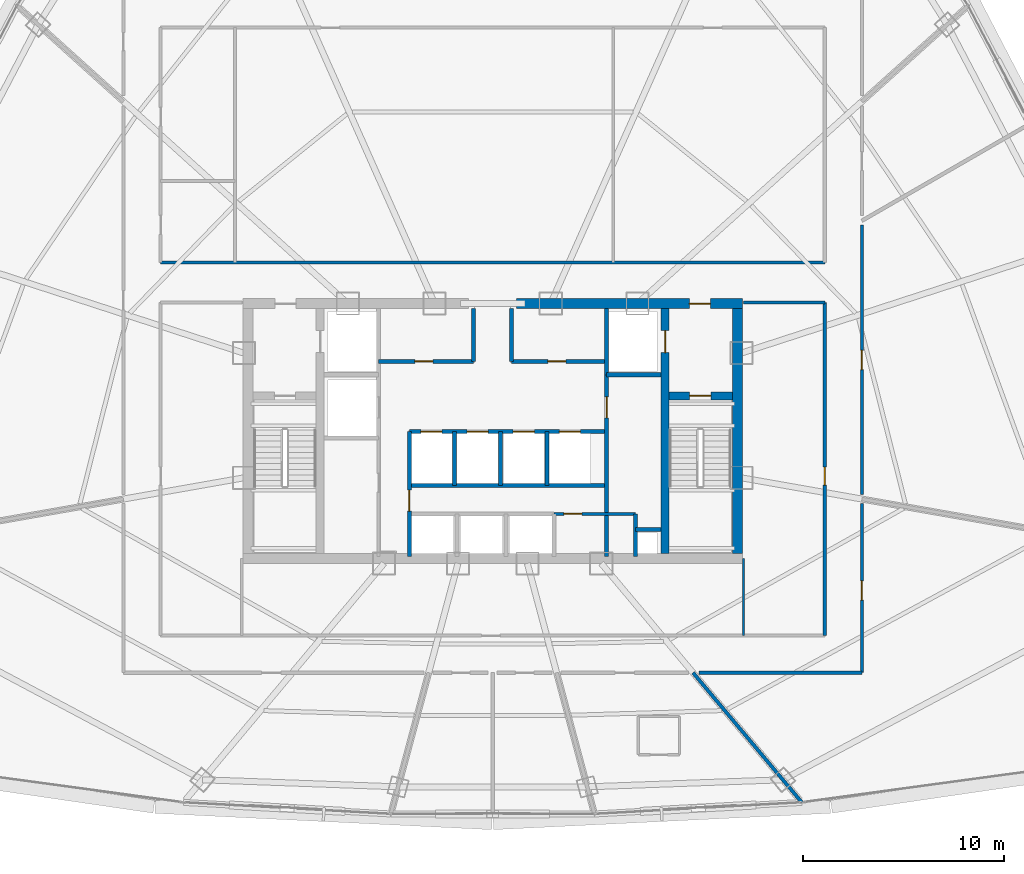
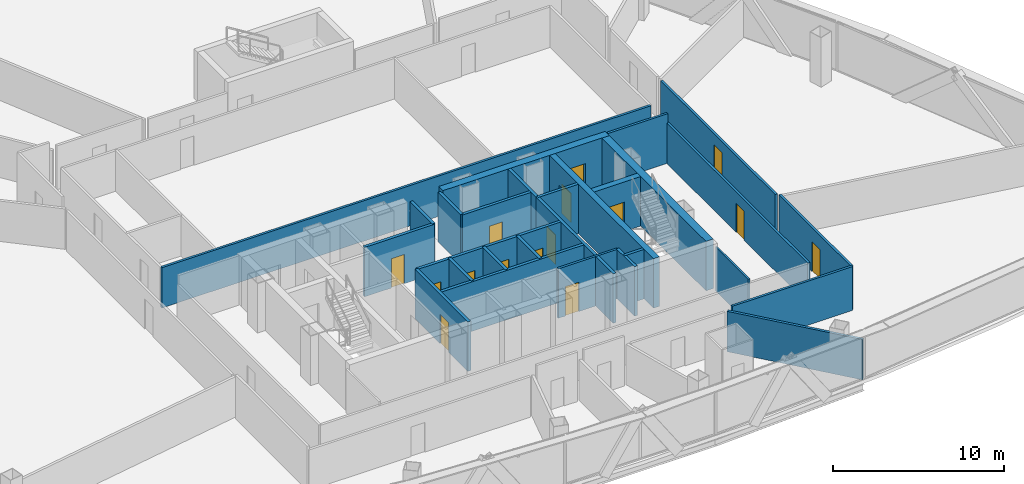
# One storey, part 30 of 36: 28 walls, 15 doors, 15 openings.
"""IFC4 building model written with IfcOpenShell, lengths in metres."""

from ifc_helpers import new_model, si_unit, direction, frame, frame_2d, origin, origin_with_axes, place, context, subcontext, project, spatial, rectangle, extrude, source, transform, mapped, material, layer, layer_set, type_object, element, fill, save


model = new_model("IFC4")

# Units and contexts
model_context = context("Model", 3, precision=1e-05, world=origin(), true_north=direction((0.0, 1.0)))
body_context = subcontext(model_context, "Body", "Model", "MODEL_VIEW")
ifc_project = project(units=[si_unit("LENGTHUNIT", "METRE"), si_unit("AREAUNIT", "SQUARE_METRE"), si_unit("VOLUMEUNIT", "CUBIC_METRE"), si_unit("PLANEANGLEUNIT", "RADIAN"), si_unit("MASSUNIT", "GRAM", prefix="KILO"), si_unit("THERMODYNAMICTEMPERATUREUNIT", "KELVIN"), si_unit("POWERUNIT", "WATT")], contexts=[model_context])

# Site, building, storey
site_placement = place(None, origin())
site = spatial("IfcSite", under=ifc_project, at=site_placement, CompositionType="ELEMENT")
building_placement = place(site_placement, origin())
building = spatial("IfcBuilding", under=site, at=building_placement, Name="Yunzhuo Pagoda Commons", CompositionType="ELEMENT")
storey_placement = place(building_placement, frame((0.0, 0.0, 211.360107421875)))
storey = spatial("IfcBuildingStorey", under=building, at=storey_placement, Name="L53", CompositionType="ELEMENT", Elevation=211.360107421875)

# Wall, opening, door
ifc_material_1 = material(Name="Concrete C50", Category="concrete")
ifc_layer_1 = layer(ifc_material_1, 0.5)
ifc_layer_set_1 = layer_set([ifc_layer_1], Name="Concrete C50")
wall_type_1 = type_object("IfcWallType", Name="W-C03 Upper Core Shear Wall 500", PredefinedType="SHEAR", material=ifc_layer_set_1)
wall_1_placement = place(storey_placement, frame((49.199951171875, 40.199951171875, 0.0), z_axis=(0.0, 0.0, 1.0), x_axis=(1.0, 0.0, 0.0)))
wall_1 = element("IfcWall", 1, at=wall_1_placement, inside=storey, type_object=wall_type_1, Name="L53 core shear wall NE", PredefinedType="SHEAR", context=body_context, shape_type="SweptSolid", body=[
    extrude(rectangle(XDim=11.25, YDim=0.5, at=frame_2d((5.625, 0.0))), origin(), (0.0, 0.0, 1.0), 3.539794921875),
])
opening_1_placement = place(wall_1_placement, frame((8.60009765625, 0.0, 0.0)))
opening_1 = element("IfcOpeningElement", 2, at=opening_1_placement, cuts=wall_1, Name="Opening D-02", PredefinedType="OPENING", context=body_context, shape_type="SweptSolid", body=[
    extrude(rectangle(XDim=1.050048828125, YDim=2.10009765625, at=frame_2d((0.52490234375, 1.050048828125))), frame((0.0, 0.260009765625, 0.0), z_axis=(0.0, -1.0, 0.0), x_axis=(1.0, 0.0, 0.0)), (0.0, 0.0, 1.0), 0.52001953125),
])
ifc_material_2 = material(Name="Galvanized fire-resisting metal leaf")
door_type_1 = type_object("IfcDoorType", Name="D-02 Firefighting Lobby & Refuge Fire Door 1050x2100", OperationType="NOTDEFINED", PredefinedType="DOOR", material=ifc_material_2)
shared_shape_1 = source(origin(), body_context, "Body", "SweptSolid", [
    extrude(rectangle(XDim=1.050048828125, YDim=2.10009765625, at=frame_2d((0.52490234375, 1.050048828125))), frame((0.0, 0.02490234375, 0.0), z_axis=(0.0, -1.0, 0.0), x_axis=(1.0, 0.0, 0.0)), (0.0, 0.0, 1.0), 0.050048828125),
])
door_1_placement = place(opening_1_placement, frame((1.050048828125, 0.0, 0.0), z_axis=(0.0, 0.0, 1.0), x_axis=(-1.0, 0.0, 0.0)))
door_1 = element("IfcDoor", 3, at=door_1_placement, inside=storey, type_object=door_type_1, Name="L53 Firefighting Lobby 2 fire door", OperationType="SINGLE_SWING_RIGHT", OverallHeight=2.10009765625, OverallWidth=1.050048828125, PredefinedType="DOOR", context=body_context, shape_type="MappedRepresentation", body=[
    mapped(shared_shape_1, transform((0.0, 0.0, 0.0), scale=1.0)),
])
fill(opening_1, door_1)

# Wall
wall_2_placement = place(storey_placement, frame((60.199951171875, 27.75, 0.0), z_axis=(0.0, 0.0, 1.0), x_axis=(0.0, 1.0, 0.0)))
element("IfcWall", 4, at=wall_2_placement, inside=storey, type_object=wall_type_1, Name="L53 core shear wall E", PredefinedType="SHEAR", context=body_context, shape_type="SweptSolid", body=[
    extrude(rectangle(XDim=12.199951171875, YDim=0.5, at=frame_2d((6.10009765625, 0.0))), origin(), (0.0, 0.0, 1.0), 3.539794921875),
])

# Wall, opening, door
ifc_material_3 = material(Name="Gypsum plasterboard on acoustic stud")
ifc_layer_2 = layer(ifc_material_3, 0.155029296875)
ifc_layer_set_2 = layer_set([ifc_layer_2], Name="Gypsum plasterboard on acoustic stud")
wall_type_2 = type_object("IfcWallType", Name="W-COR2 Mid-Zone Rated Corridor Wall 155", PredefinedType="PARTITIONING", material=ifc_layer_set_2)
wall_3_placement = place(storey_placement, frame((51.050048828125, 29.719970703125, 0.0), z_axis=(0.0, 0.0, 1.0), x_axis=(1.0, 0.0, 0.0)))
wall_3 = element("IfcWall", 5, at=wall_3_placement, inside=storey, type_object=wall_type_2, Name="L53 interior wall IW-L53-CSES", PredefinedType="PARTITIONING", context=body_context, shape_type="SweptSolid", body=[
    extrude(rectangle(XDim=4.070068359375, YDim=0.155029296875, at=frame_2d((2.03515625, 0.0))), origin(), (0.0, 0.0, 1.0), 3.539794921875),
])
opening_2_placement = place(wall_3_placement, frame((0.5, 0.0, 0.0)))
opening_2 = element("IfcOpeningElement", 6, at=opening_2_placement, cuts=wall_3, Name="Opening D-03", PredefinedType="OPENING", context=body_context, shape_type="SweptSolid", body=[
    extrude(rectangle(XDim=0.89990234375, YDim=2.10009765625, at=frame_2d((0.449951171875, 1.050048828125))), frame((0.0, 0.08740234375, 0.0), z_axis=(0.0, -1.0, 0.0), x_axis=(1.0, 0.0, 0.0)), (0.0, 0.0, 1.0), 0.175048828125),
])
door_type_2 = type_object("IfcDoorType", Name="D-03 Core Service Fire Door 900x2100", OperationType="NOTDEFINED", PredefinedType="DOOR", material=ifc_material_2)
shared_shape_2 = source(origin(), body_context, "Body", "SweptSolid", [
    extrude(rectangle(XDim=0.89990234375, YDim=2.10009765625, at=frame_2d((0.449951171875, 1.050048828125))), frame((0.0, 0.02490234375, 0.0), z_axis=(0.0, -1.0, 0.0), x_axis=(1.0, 0.0, 0.0)), (0.0, 0.0, 1.0), 0.050048828125),
])
door_2_placement = place(opening_2_placement, origin_with_axes())
door_2 = element("IfcDoor", 7, at=door_2_placement, inside=storey, type_object=door_type_2, Name="L53 cleaner store door", OperationType="SINGLE_SWING_LEFT", OverallHeight=2.10009765625, OverallWidth=0.89990234375, PredefinedType="DOOR", context=body_context, shape_type="MappedRepresentation", body=[
    mapped(shared_shape_2, transform((0.0, 0.0, 0.0), scale=1.0)),
])
fill(opening_2, door_2)

# Wall
wall_4_placement = place(storey_placement, frame((31.449951171875, 42.25, 0.0), z_axis=(0.0, 0.0, 1.0), x_axis=(1.0, 0.0, 0.0)))
element("IfcWall", 8, at=wall_4_placement, inside=storey, type_object=wall_type_2, Name="L53 interior wall IW-L53-MCNS", PredefinedType="PARTITIONING", context=body_context, shape_type="SweptSolid", body=[
    extrude(rectangle(XDim=33.10009765625, YDim=0.155029296875, at=frame_2d((16.550048828125, 0.0))), origin(), (0.0, 0.0, 1.0), 2.889892578125),
])

# Wall, opening, door
wall_5_placement = place(storey_placement, frame((64.550048828125, 23.64990234375, 0.0), z_axis=(0.0, 0.0, 1.0), x_axis=(0.0, 1.0, 0.0)))
wall_5 = element("IfcWall", 9, at=wall_5_placement, inside=storey, type_object=wall_type_2, Name="L53 interior wall IW-L53-SFLE", PredefinedType="PARTITIONING", context=body_context, shape_type="SweptSolid", body=[
    extrude(rectangle(XDim=16.60009765625, YDim=0.155029296875, at=frame_2d((8.300048828125, 0.0))), origin(), (0.0, 0.0, 1.0), 2.889892578125),
])
opening_3_placement = place(wall_5_placement, frame((7.5, 0.0, 0.0)))
opening_3 = element("IfcOpeningElement", 10, at=opening_3_placement, cuts=wall_5, Name="Opening D-12", PredefinedType="OPENING", context=body_context, shape_type="SweptSolid", body=[
    extrude(rectangle(XDim=0.89990234375, YDim=2.080078125, at=frame_2d((0.449951171875, 1.0400390625))), frame((0.0, 0.08740234375, 0.0), z_axis=(0.0, -1.0, 0.0), x_axis=(1.0, 0.0, 0.0)), (0.0, 0.0, 1.0), 0.175048828125),
])
ifc_material_4 = material(Name="Powder-coated aluminium and timber acoustic leaf", Category="wood")
door_type_3 = type_object("IfcDoorType", Name="D-12 Quiet Study Interior Door 900x2080", OperationType="NOTDEFINED", PredefinedType="DOOR", material=ifc_material_4)
shared_shape_3 = source(origin(), body_context, "Body", "SweptSolid", [
    extrude(rectangle(XDim=0.89990234375, YDim=2.080078125, at=frame_2d((0.449951171875, 1.0400390625))), frame((0.0, 0.02490234375, 0.0), z_axis=(0.0, -1.0, 0.0), x_axis=(1.0, 0.0, 0.0)), (0.0, 0.0, 1.0), 0.050048828125),
])
door_3_placement = place(opening_3_placement, frame((0.89990234375, 0.0, 0.0), z_axis=(0.0, 0.0, 1.0), x_axis=(-1.0, 0.0, 0.0)))
door_3 = element("IfcDoor", 11, at=door_3_placement, inside=storey, type_object=door_type_3, Name="L53 east study workroom door", OperationType="SINGLE_SWING_RIGHT", OverallHeight=2.080078125, OverallWidth=0.89990234375, PredefinedType="DOOR", context=body_context, shape_type="MappedRepresentation", body=[
    mapped(shared_shape_3, transform((0.0, 0.0, 0.0), scale=1.0)),
])
fill(opening_3, door_3)

# Wall
wall_6_placement = place(storey_placement, frame((60.5, 40.25, 0.0), z_axis=(0.0, 0.0, 1.0), x_axis=(1.0, 0.0, 0.0)))
element("IfcWall", 12, at=wall_6_placement, inside=storey, type_object=wall_type_2, Name="L53 interior wall IW-L53-SFLNE", PredefinedType="PARTITIONING", context=body_context, shape_type="SweptSolid", body=[
    extrude(rectangle(XDim=4.050048828125, YDim=0.155029296875, at=frame_2d((2.02490234375, 0.0))), origin(), (0.0, 0.0, 1.0), 3.539794921875),
])

# Wall, opening, door
wall_7_placement = place(storey_placement, frame((66.39990234375, 44.103515625, 0.0), z_axis=(0.0, 0.0, 1.0), x_axis=(0.0, -1.0, 0.0)))
wall_7 = element("IfcWall", 13, at=wall_7_placement, inside=storey, type_object=wall_type_2, Name="L53 interior wall IW-L53-CWL11", PredefinedType="PARTITIONING", context=body_context, shape_type="SweptSolid", body=[
    extrude(rectangle(XDim=13.42822265625, YDim=0.155029296875, at=frame_2d((6.714111328125, 0.0))), origin(), (0.0, 0.0, 1.0), 2.889892578125),
])
opening_4_placement = place(wall_7_placement, frame((6.239013671875, 0.0, 0.0)))
opening_4 = element("IfcOpeningElement", 14, at=opening_4_placement, cuts=wall_7, Name="Opening D-07", PredefinedType="OPENING", context=body_context, shape_type="SweptSolid", body=[
    extrude(rectangle(XDim=0.9599609375, YDim=2.1201171875, at=frame_2d((0.47998046875, 1.06005859375))), frame((0.0, 0.08740234375, 0.0), z_axis=(0.0, -1.0, 0.0), x_axis=(1.0, 0.0, 0.0)), (0.0, 0.0, 1.0), 0.175048828125),
])
door_type_4 = type_object("IfcDoorType", Name="D-07 Mid-Zone Suite Entrance Fire Door 960x2120", OperationType="NOTDEFINED", PredefinedType="DOOR", material=ifc_material_2)
shared_shape_4 = source(origin(), body_context, "Body", "SweptSolid", [
    extrude(rectangle(XDim=0.9599609375, YDim=2.1201171875, at=frame_2d((0.47998046875, 1.06005859375))), frame((0.0, 0.02490234375, 0.0), z_axis=(0.0, -1.0, 0.0), x_axis=(1.0, 0.0, 0.0)), (0.0, 0.0, 1.0), 0.050048828125),
])
door_4_placement = place(opening_4_placement, origin_with_axes())
door_4 = element("IfcDoor", 15, at=door_4_placement, inside=storey, type_object=door_type_4, Name="L53 Shared Resident Kitchen and Pantry door", OperationType="SINGLE_SWING_RIGHT", OverallHeight=2.1201171875, OverallWidth=0.9599609375, PredefinedType="DOOR", context=body_context, shape_type="MappedRepresentation", body=[
    mapped(shared_shape_4, transform((0.0, 0.0, 0.0), scale=1.0)),
])
fill(opening_4, door_4)

wall_8_placement = place(storey_placement, frame((66.39990234375, 30.232177734375, 0.0), z_axis=(0.0, 0.0, 1.0), x_axis=(0.0, -1.0, 0.0)))
wall_8 = element("IfcWall", 16, at=wall_8_placement, inside=storey, type_object=wall_type_2, Name="L53 interior wall IW-L53-CWL12", PredefinedType="PARTITIONING", context=body_context, shape_type="SweptSolid", body=[
    extrude(rectangle(XDim=8.43212890625, YDim=0.155029296875, at=frame_2d((4.216064453125, 0.0))), origin(), (0.0, 0.0, 1.0), 3.139892578125),
])
opening_5_placement = place(wall_8_placement, frame((3.859375, 0.0, 0.0)))
opening_5 = element("IfcOpeningElement", 17, at=opening_5_placement, cuts=wall_8, Name="Opening D-07", PredefinedType="OPENING", context=body_context, shape_type="SweptSolid", body=[
    extrude(rectangle(XDim=0.9599609375, YDim=2.1201171875, at=frame_2d((0.47998046875, 1.06005859375))), frame((0.0, 0.08740234375, 0.0), z_axis=(0.0, -1.0, 0.0), x_axis=(1.0, 0.0, 0.0)), (0.0, 0.0, 1.0), 0.175048828125),
])
door_5_placement = place(opening_5_placement, origin_with_axes())
door_5 = element("IfcDoor", 18, at=door_5_placement, inside=storey, type_object=door_type_4, Name="L53 unit 12 entrance door", OperationType="SINGLE_SWING_LEFT", OverallHeight=2.1201171875, OverallWidth=0.9599609375, PredefinedType="DOOR", context=body_context, shape_type="MappedRepresentation", body=[
    mapped(shared_shape_4, transform((0.0, 0.0, 0.0), scale=1.0)),
])
fill(opening_5, door_5)

# Walls
wall_9_placement = place(storey_placement, frame((66.39990234375, 21.800048828125, 0.0), z_axis=(0.0, 0.0, 1.0), x_axis=(-1.0, 0.0, 0.0)))
element("IfcWall", 19, at=wall_9_placement, inside=storey, type_object=wall_type_2, Name="L53 interior wall IW-L53-CWL13", PredefinedType="PARTITIONING", context=body_context, shape_type="SweptSolid", body=[
    extrude(rectangle(XDim=8.12744140625, YDim=0.155029296875, at=frame_2d((4.063720703125, 0.0))), origin(), (0.0, 0.0, 1.0), 3.139892578125),
])
ifc_layer_3 = layer(ifc_material_3, 0.1201171875)
ifc_layer_set_3 = layer_set([ifc_layer_3], Name="Gypsum plasterboard on acoustic stud")
wall_type_3 = type_object("IfcWallType", Name="W-PRT1 Suite & Bathroom Partition 120", PredefinedType="PARTITIONING", material=ifc_layer_set_3)
wall_10_placement = place(storey_placement, frame((60.5, 23.64990234375, 0.0), z_axis=(0.0, 0.0, 1.0), x_axis=(0.0, 1.0, 0.0)))
element("IfcWall", 20, at=wall_10_placement, inside=storey, type_object=wall_type_3, Name="L53 interior wall IW-L53-SFLD2", PredefinedType="PARTITIONING", context=body_context, shape_type="SweptSolid", body=[
    extrude(rectangle(XDim=3.85009765625, YDim=0.1201171875, at=frame_2d((1.925048828125, 0.0))), origin(), (0.0, 0.0, 1.0), 3.139892578125),
])
ifc_layer_4 = layer(ifc_material_3, 0.175048828125)
ifc_layer_set_4 = layer_set([ifc_layer_4], Name="Gypsum plasterboard on acoustic stud")
wall_type_4 = type_object("IfcWallType", Name="W-PRT3 Mid-Zone Demising Wall 175", PredefinedType="PARTITIONING", material=ifc_layer_set_4)
wall_11_placement = place(storey_placement, frame((57.9853515625, 21.800048828125, 0.0), z_axis=(0.0, 0.0, 1.0), x_axis=(0.642770599155, -0.766058716328, 0.0)))
element("IfcWall", 21, at=wall_11_placement, inside=storey, type_object=wall_type_4, Name="L53 interior wall IW-L53-RAD11", PredefinedType="PARTITIONING", context=body_context, shape_type="SweptSolid", body=[
    extrude(rectangle(XDim=8.437744140625, YDim=0.175048828125, at=frame_2d((4.21875, 0.0))), origin(), (0.0, 0.0, 1.0), 2.889892578125),
])

# Wall, opening, door
ifc_material_5 = material(Name="Concrete C60", Category="concrete")
ifc_layer_5 = layer(ifc_material_5, 0.39990234375)
ifc_layer_set_5 = layer_set([ifc_layer_5], Name="Concrete C60")
wall_type_5 = type_object("IfcWallType", Name="W-S01 Internal Core Shear Web 400", PredefinedType="SHEAR", material=ifc_layer_set_5)
wall_12_placement = place(storey_placement, frame((56.60009765625, 27.75, 0.0), z_axis=(0.0, 0.0, 1.0), x_axis=(0.0, 1.0, 0.0)))
wall_12 = element("IfcWall", 22, at=wall_12_placement, inside=storey, type_object=wall_type_5, Name="L53 core shear wall WEBE", PredefinedType="SHEAR", context=body_context, shape_type="SweptSolid", body=[
    extrude(rectangle(XDim=12.199951171875, YDim=0.39990234375, at=frame_2d((6.10009765625, 0.0))), origin(), (0.0, 0.0, 1.0), 3.539794921875),
])
opening_6_placement = place(wall_12_placement, frame((10.0, 0.0, 0.0)))
opening_6 = element("IfcOpeningElement", 23, at=opening_6_placement, cuts=wall_12, Name="Opening LD-01", PredefinedType="OPENING", context=body_context, shape_type="SweptSolid", body=[
    extrude(rectangle(XDim=1.10009765625, YDim=2.10009765625, at=frame_2d((0.550048828125, 1.050048828125))), frame((0.0, 0.2099609375, 0.0), z_axis=(0.0, -1.0, 0.0), x_axis=(1.0, 0.0, 0.0)), (0.0, 0.0, 1.0), 0.419921875),
])
door_type_5 = type_object("IfcDoorType", Name="LD-01 Firefighting Lift Landing Door 1100x2100", OperationType="DOUBLE_DOOR_SLIDING", PredefinedType="DOOR", material=ifc_material_2)
shared_shape_5 = source(origin(), body_context, "Body", "SweptSolid", [
    extrude(rectangle(XDim=1.10009765625, YDim=2.10009765625, at=frame_2d((0.550048828125, 1.050048828125))), frame((0.0, 0.02490234375, 0.0), z_axis=(0.0, -1.0, 0.0), x_axis=(1.0, 0.0, 0.0)), (0.0, 0.0, 1.0), 0.050048828125),
])
door_6_placement = place(opening_6_placement, origin_with_axes())
door_6 = element("IfcDoor", 24, at=door_6_placement, inside=storey, type_object=door_type_5, Name="L53 Firefighting lift FL-2 landing door", OperationType="DOUBLE_DOOR_SLIDING", OverallHeight=2.10009765625, OverallWidth=1.10009765625, PredefinedType="DOOR", context=body_context, shape_type="MappedRepresentation", body=[
    mapped(shared_shape_5, transform((0.0, 0.0, 0.0), scale=1.0)),
])
fill(opening_6, door_6)

wall_13_placement = place(storey_placement, frame((56.800048828125, 35.60009765625, 0.0), z_axis=(0.0, 0.0, 1.0), x_axis=(1.0, 0.0, 0.0)))
wall_13 = element("IfcWall", 25, at=wall_13_placement, inside=storey, type_object=wall_type_5, Name="L53 core shear wall STE", PredefinedType="SHEAR", context=body_context, shape_type="SweptSolid", body=[
    extrude(rectangle(XDim=3.14990234375, YDim=0.39990234375, at=frame_2d((1.574951171875, 0.0))), origin(), (0.0, 0.0, 1.0), 3.539794921875),
])
opening_7_placement = place(wall_13_placement, frame((1.02001953125, 0.0, 0.0)))
opening_7 = element("IfcOpeningElement", 26, at=opening_7_placement, cuts=wall_13, Name="Opening D-01", PredefinedType="OPENING", context=body_context, shape_type="SweptSolid", body=[
    extrude(rectangle(XDim=1.050048828125, YDim=2.10009765625, at=frame_2d((0.52490234375, 1.050048828125))), frame((0.0, 0.2099609375, 0.0), z_axis=(0.0, -1.0, 0.0), x_axis=(1.0, 0.0, 0.0)), (0.0, 0.0, 1.0), 0.419921875),
])
door_type_6 = type_object("IfcDoorType", Name="D-01 Smokeproof Stair Fire Door 1050x2100", OperationType="NOTDEFINED", PredefinedType="DOOR", material=ifc_material_2)
door_7_placement = place(opening_7_placement, frame((1.050048828125, 0.0, 0.0), z_axis=(0.0, 0.0, 1.0), x_axis=(-1.0, 0.0, 0.0)))
door_7 = element("IfcDoor", 27, at=door_7_placement, inside=storey, type_object=door_type_6, Name="L53 Stair ST2 fire door", OperationType="SINGLE_SWING_RIGHT", OverallHeight=2.10009765625, OverallWidth=1.050048828125, PredefinedType="DOOR", context=body_context, shape_type="MappedRepresentation", body=[
    mapped(shared_shape_1, transform((0.0, 0.0, 0.0), scale=1.0)),
])
fill(opening_7, door_7)

# Walls
ifc_material_6 = material(Name="Concrete C40", Category="concrete")
ifc_layer_6 = layer(ifc_material_6, 0.199951171875)
ifc_layer_set_6 = layer_set([ifc_layer_6], Name="Concrete C40")
wall_type_6 = type_object("IfcWallType", Name="W-SHF Shaft & Stair Enclosure Wall 200", PredefinedType="SOLIDWALL", material=ifc_layer_set_6)
wall_14_placement = place(storey_placement, frame((53.679931640625, 36.64990234375, 0.0), z_axis=(0.0, 0.0, 1.0), x_axis=(0.0, 1.0, 0.0)))
element("IfcWall", 28, at=wall_14_placement, inside=storey, type_object=wall_type_6, Name="L53 interior wall IW-L53-FL2W", PredefinedType="SOLIDWALL", context=body_context, shape_type="SweptSolid", body=[
    extrude(rectangle(XDim=3.300048828125, YDim=0.199951171875, at=frame_2d((1.64990234375, 0.0))), origin(), (0.0, 0.0, 1.0), 3.539794921875),
])
wall_15_placement = place(storey_placement, frame((53.679931640625, 36.64990234375, 0.0), z_axis=(0.0, 0.0, 1.0), x_axis=(1.0, 0.0, 0.0)))
element("IfcWall", 29, at=wall_15_placement, inside=storey, type_object=wall_type_6, Name="L53 interior wall IW-L53-FL2S", PredefinedType="SOLIDWALL", context=body_context, shape_type="SweptSolid", body=[
    extrude(rectangle(XDim=2.719970703125, YDim=0.199951171875, at=frame_2d((1.35986328125, 0.0))), origin(), (0.0, 0.0, 1.0), 3.539794921875),
])

# Wall, opening, door
wall_16_placement = place(storey_placement, frame((42.320068359375, 37.320068359375, 0.0), z_axis=(0.0, 0.0, 1.0), x_axis=(1.0, 0.0, 0.0)))
wall_16 = element("IfcWall", 30, at=wall_16_placement, inside=storey, type_object=wall_type_6, Name="L53 interior wall IW-L53-LBNW", PredefinedType="SOLIDWALL", context=body_context, shape_type="SweptSolid", body=[
    extrude(rectangle(XDim=4.72998046875, YDim=0.199951171875, at=frame_2d((2.364990234375, 0.0))), origin(), (0.0, 0.0, 1.0), 3.539794921875),
])
opening_8_placement = place(wall_16_placement, frame((1.800048828125, 0.0, 0.0)))
opening_8 = element("IfcOpeningElement", 31, at=opening_8_placement, cuts=wall_16, Name="Opening D-03", PredefinedType="OPENING", context=body_context, shape_type="SweptSolid", body=[
    extrude(rectangle(XDim=0.89990234375, YDim=2.10009765625, at=frame_2d((0.449951171875, 1.050048828125))), frame((0.0, 0.10986328125, 0.0), z_axis=(0.0, -1.0, 0.0), x_axis=(1.0, 0.0, 0.0)), (0.0, 0.0, 1.0), 0.219970703125),
])
door_8_placement = place(opening_8_placement, frame((0.89990234375, 0.0, 0.0), z_axis=(0.0, 0.0, 1.0), x_axis=(-1.0, 0.0, 0.0)))
door_8 = element("IfcDoor", 32, at=door_8_placement, inside=storey, type_object=door_type_2, Name="L53 core west store door", OperationType="SINGLE_SWING_LEFT", OverallHeight=2.10009765625, OverallWidth=0.89990234375, PredefinedType="DOOR", context=body_context, shape_type="MappedRepresentation", body=[
    mapped(shared_shape_2, transform((0.0, 0.0, 0.0), scale=1.0)),
])
fill(opening_8, door_8)

wall_17_placement = place(storey_placement, frame((48.949951171875, 37.320068359375, 0.0), z_axis=(0.0, 0.0, 1.0), x_axis=(1.0, 0.0, 0.0)))
wall_17 = element("IfcWall", 33, at=wall_17_placement, inside=storey, type_object=wall_type_6, Name="L53 interior wall IW-L53-LBNE", PredefinedType="SOLIDWALL", context=body_context, shape_type="SweptSolid", body=[
    extrude(rectangle(XDim=4.72998046875, YDim=0.199951171875, at=frame_2d((2.364990234375, 0.0))), origin(), (0.0, 0.0, 1.0), 3.539794921875),
])
opening_9_placement = place(wall_17_placement, frame((1.800048828125, 0.0, 0.0)))
opening_9 = element("IfcOpeningElement", 34, at=opening_9_placement, cuts=wall_17, Name="Opening D-03", PredefinedType="OPENING", context=body_context, shape_type="SweptSolid", body=[
    extrude(rectangle(XDim=0.89990234375, YDim=2.10009765625, at=frame_2d((0.449951171875, 1.050048828125))), frame((0.0, 0.10986328125, 0.0), z_axis=(0.0, -1.0, 0.0), x_axis=(1.0, 0.0, 0.0)), (0.0, 0.0, 1.0), 0.219970703125),
])
door_9_placement = place(opening_9_placement, frame((0.89990234375, 0.0, 0.0), z_axis=(0.0, 0.0, 1.0), x_axis=(-1.0, 0.0, 0.0)))
door_9 = element("IfcDoor", 35, at=door_9_placement, inside=storey, type_object=door_type_2, Name="L53 core east store door", OperationType="SINGLE_SWING_RIGHT", OverallHeight=2.10009765625, OverallWidth=0.89990234375, PredefinedType="DOOR", context=body_context, shape_type="MappedRepresentation", body=[
    mapped(shared_shape_2, transform((0.0, 0.0, 0.0), scale=1.0)),
])
fill(opening_9, door_9)

# Walls
for number, where, z_axis, x_axis, name in (
    (36, (47.050048828125, 37.320068359375, 0.0), (0.0, 0.0, 1.0), (0.0, 1.0, 0.0), "L53 interior wall IW-L53-THRW"),
    (37, (48.949951171875, 37.320068359375, 0.0), (0.0, 0.0, 1.0), (0.0, 1.0, 0.0), "L53 interior wall IW-L53-THRE"),
):
    element("IfcWall", number, at=place(storey_placement, frame(where, z_axis=z_axis, x_axis=x_axis)), inside=storey, type_object=wall_type_6, Name=name, PredefinedType="SOLIDWALL", context=body_context, shape_type="SweptSolid", body=[
        extrude(rectangle(XDim=2.6298828125, YDim=0.199951171875, at=frame_2d((1.31494140625, 0.0))), origin(), (0.0, 0.0, 1.0), 3.539794921875),
    ])

# Wall, openings, doors
wall_18_placement = place(storey_placement, frame((43.85009765625, 33.820068359375, 0.0), z_axis=(0.0, 0.0, 1.0), x_axis=(1.0, 0.0, 0.0)))
wall_18 = element("IfcWall", 38, at=wall_18_placement, inside=storey, type_object=wall_type_6, Name="L53 interior wall IW-L53-MLBS", PredefinedType="SOLIDWALL", context=body_context, shape_type="SweptSolid", body=[
    extrude(rectangle(XDim=9.829833984375, YDim=0.199951171875, at=frame_2d((4.9150390625, 0.0))), origin(), (0.0, 0.0, 1.0), 3.539794921875),
])
opening_10_placement = place(wall_18_placement, frame((0.574951171875, 0.0, 0.0)))
opening_10 = element("IfcOpeningElement", 39, at=opening_10_placement, cuts=wall_18, Name="Opening LD-02", PredefinedType="OPENING", context=body_context, shape_type="SweptSolid", body=[
    extrude(rectangle(XDim=1.050048828125, YDim=2.10009765625, at=frame_2d((0.52490234375, 1.050048828125))), frame((0.0, 0.10986328125, 0.0), z_axis=(0.0, -1.0, 0.0), x_axis=(1.0, 0.0, 0.0)), (0.0, 0.0, 1.0), 0.219970703125),
])
opening_11_placement = place(wall_18_placement, frame((2.875, 0.0, 0.0)))
opening_11 = element("IfcOpeningElement", 40, at=opening_11_placement, cuts=wall_18, Name="Opening LD-02", PredefinedType="OPENING", context=body_context, shape_type="SweptSolid", body=[
    extrude(rectangle(XDim=1.050048828125, YDim=2.10009765625, at=frame_2d((0.52490234375, 1.050048828125))), frame((0.0, 0.10986328125, 0.0), z_axis=(0.0, -1.0, 0.0), x_axis=(1.0, 0.0, 0.0)), (0.0, 0.0, 1.0), 0.219970703125),
])
opening_12_placement = place(wall_18_placement, frame((5.175048828125, 0.0, 0.0)))
opening_12 = element("IfcOpeningElement", 41, at=opening_12_placement, cuts=wall_18, Name="Opening LD-02", PredefinedType="OPENING", context=body_context, shape_type="SweptSolid", body=[
    extrude(rectangle(XDim=1.050048828125, YDim=2.10009765625, at=frame_2d((0.52490234375, 1.050048828125))), frame((0.0, 0.10986328125, 0.0), z_axis=(0.0, -1.0, 0.0), x_axis=(1.0, 0.0, 0.0)), (0.0, 0.0, 1.0), 0.219970703125),
])
opening_13_placement = place(wall_18_placement, frame((7.47509765625, 0.0, 0.0)))
opening_13 = element("IfcOpeningElement", 42, at=opening_13_placement, cuts=wall_18, Name="Opening LD-02", PredefinedType="OPENING", context=body_context, shape_type="SweptSolid", body=[
    extrude(rectangle(XDim=1.050048828125, YDim=2.10009765625, at=frame_2d((0.52490234375, 1.050048828125))), frame((0.0, 0.10986328125, 0.0), z_axis=(0.0, -1.0, 0.0), x_axis=(1.0, 0.0, 0.0)), (0.0, 0.0, 1.0), 0.219970703125),
])
door_type_7 = type_object("IfcDoorType", Name="LD-02 Passenger Lift Landing Door 1050x2100", OperationType="DOUBLE_DOOR_SLIDING", PredefinedType="DOOR", material=ifc_material_2)
door_10_placement = place(opening_10_placement, origin_with_axes())
door_10 = element("IfcDoor", 43, at=door_10_placement, inside=storey, type_object=door_type_7, Name="L53 Passenger lift PL-M1 landing door", OperationType="DOUBLE_DOOR_SLIDING", OverallHeight=2.10009765625, OverallWidth=1.050048828125, PredefinedType="DOOR", context=body_context, shape_type="MappedRepresentation", body=[
    mapped(shared_shape_1, transform((0.0, 0.0, 0.0), scale=1.0)),
])
fill(opening_10, door_10)
door_11_placement = place(opening_11_placement, origin_with_axes())
door_11 = element("IfcDoor", 44, at=door_11_placement, inside=storey, type_object=door_type_7, Name="L53 Passenger lift PL-M2 landing door", OperationType="DOUBLE_DOOR_SLIDING", OverallHeight=2.10009765625, OverallWidth=1.050048828125, PredefinedType="DOOR", context=body_context, shape_type="MappedRepresentation", body=[
    mapped(shared_shape_1, transform((0.0, 0.0, 0.0), scale=1.0)),
])
fill(opening_11, door_11)
door_12_placement = place(opening_12_placement, origin_with_axes())
door_12 = element("IfcDoor", 45, at=door_12_placement, inside=storey, type_object=door_type_7, Name="L53 Passenger lift PL-M3 landing door", OperationType="DOUBLE_DOOR_SLIDING", OverallHeight=2.10009765625, OverallWidth=1.050048828125, PredefinedType="DOOR", context=body_context, shape_type="MappedRepresentation", body=[
    mapped(shared_shape_1, transform((0.0, 0.0, 0.0), scale=1.0)),
])
fill(opening_12, door_12)
door_13_placement = place(opening_13_placement, origin_with_axes())
door_13 = element("IfcDoor", 46, at=door_13_placement, inside=storey, type_object=door_type_7, Name="L53 Passenger lift PL-M4 landing door", OperationType="DOUBLE_DOOR_SLIDING", OverallHeight=2.10009765625, OverallWidth=1.050048828125, PredefinedType="DOOR", context=body_context, shape_type="MappedRepresentation", body=[
    mapped(shared_shape_1, transform((0.0, 0.0, 0.0), scale=1.0)),
])
fill(opening_13, door_13)

# Wall, opening, door
wall_19_placement = place(storey_placement, frame((43.85009765625, 27.60009765625, 0.0), z_axis=(0.0, 0.0, 1.0), x_axis=(0.0, 1.0, 0.0)))
wall_19 = element("IfcWall", 47, at=wall_19_placement, inside=storey, type_object=wall_type_6, Name="L53 interior wall IW-L53-PLMW", PredefinedType="SOLIDWALL", context=body_context, shape_type="SweptSolid", body=[
    extrude(rectangle(XDim=6.219970703125, YDim=0.199951171875, at=frame_2d((3.10986328125, 0.0))), origin(), (0.0, 0.0, 1.0), 3.539794921875),
])
opening_14_placement = place(wall_19_placement, frame((2.25, 0.0, 0.0)))
opening_14 = element("IfcOpeningElement", 48, at=opening_14_placement, cuts=wall_19, Name="Opening D-02", PredefinedType="OPENING", context=body_context, shape_type="SweptSolid", body=[
    extrude(rectangle(XDim=1.050048828125, YDim=2.10009765625, at=frame_2d((0.52490234375, 1.050048828125))), frame((0.0, 0.10986328125, 0.0), z_axis=(0.0, -1.0, 0.0), x_axis=(1.0, 0.0, 0.0)), (0.0, 0.0, 1.0), 0.219970703125),
])
door_14_placement = place(opening_14_placement, frame((1.050048828125, 0.0, 0.0), z_axis=(0.0, 0.0, 1.0), x_axis=(-1.0, 0.0, 0.0)))
door_14 = element("IfcDoor", 49, at=door_14_placement, inside=storey, type_object=door_type_1, Name="L53 High-bank hall west door", OperationType="SINGLE_SWING_LEFT", OverallHeight=2.10009765625, OverallWidth=1.050048828125, PredefinedType="DOOR", context=body_context, shape_type="MappedRepresentation", body=[
    mapped(shared_shape_1, transform((0.0, 0.0, 0.0), scale=1.0)),
])
fill(opening_14, door_14)

wall_20_placement = place(storey_placement, frame((53.679931640625, 27.60009765625, 0.0), z_axis=(0.0, 0.0, 1.0), x_axis=(0.0, 1.0, 0.0)))
wall_20 = element("IfcWall", 50, at=wall_20_placement, inside=storey, type_object=wall_type_6, Name="L53 interior wall IW-L53-PLME", PredefinedType="SOLIDWALL", context=body_context, shape_type="SweptSolid", body=[
    extrude(rectangle(XDim=9.0498046875, YDim=0.199951171875, at=frame_2d((4.52490234375, 0.0))), origin(), (0.0, 0.0, 1.0), 3.539794921875),
])
opening_15_placement = place(wall_20_placement, frame((6.89990234375, 0.0, 0.0)))
opening_15 = element("IfcOpeningElement", 51, at=opening_15_placement, cuts=wall_20, Name="Opening D-02", PredefinedType="OPENING", context=body_context, shape_type="SweptSolid", body=[
    extrude(rectangle(XDim=1.050048828125, YDim=2.10009765625, at=frame_2d((0.52490234375, 1.050048828125))), frame((0.0, 0.10986328125, 0.0), z_axis=(0.0, -1.0, 0.0), x_axis=(1.0, 0.0, 0.0)), (0.0, 0.0, 1.0), 0.219970703125),
])
door_15_placement = place(opening_15_placement, origin_with_axes())
door_15 = element("IfcDoor", 52, at=door_15_placement, inside=storey, type_object=door_type_1, Name="L53 High-bank lift hall door", OperationType="SINGLE_SWING_RIGHT", OverallHeight=2.10009765625, OverallWidth=1.050048828125, PredefinedType="DOOR", context=body_context, shape_type="MappedRepresentation", body=[
    mapped(shared_shape_1, transform((0.0, 0.0, 0.0), scale=1.0)),
])
fill(opening_15, door_15)

# Walls
for number, where, z_axis, x_axis, name in (
    (53, (46.10009765625, 31.1201171875, 0.0), (0.0, 0.0, 1.0), (0.0, 1.0, 0.0), "L53 interior wall IW-L53-PLMD1"),
    (54, (48.39990234375, 31.1201171875, 0.0), (0.0, 0.0, 1.0), (0.0, 1.0, 0.0), "L53 interior wall IW-L53-PLMD2"),
    (55, (50.699951171875, 31.1201171875, 0.0), (0.0, 0.0, 1.0), (0.0, 1.0, 0.0), "L53 interior wall IW-L53-PLMD3"),
):
    element("IfcWall", number, at=place(storey_placement, frame(where, z_axis=z_axis, x_axis=x_axis)), inside=storey, type_object=wall_type_6, Name=name, PredefinedType="SOLIDWALL", context=body_context, shape_type="SweptSolid", body=[
        extrude(rectangle(XDim=2.699951171875, YDim=0.199951171875, at=frame_2d((1.35009765625, 0.0))), origin(), (0.0, 0.0, 1.0), 3.539794921875),
    ])
wall_21_placement = place(storey_placement, frame((43.85009765625, 31.1201171875, 0.0), z_axis=(0.0, 0.0, 1.0), x_axis=(1.0, 0.0, 0.0)))
element("IfcWall", 56, at=wall_21_placement, inside=storey, type_object=wall_type_6, Name="L53 interior wall IW-L53-PLMS2", PredefinedType="SOLIDWALL", context=body_context, shape_type="SweptSolid", body=[
    extrude(rectangle(XDim=9.829833984375, YDim=0.199951171875, at=frame_2d((4.9150390625, 0.0))), origin(), (0.0, 0.0, 1.0), 3.539794921875),
])
wall_22_placement = place(storey_placement, frame((55.1201171875, 27.60009765625, 0.0), z_axis=(0.0, 0.0, 1.0), x_axis=(0.0, 1.0, 0.0)))
element("IfcWall", 57, at=wall_22_placement, inside=storey, type_object=wall_type_6, Name="L53 interior wall IW-L53-RSHFW", PredefinedType="SOLIDWALL", context=body_context, shape_type="SweptSolid", body=[
    extrude(rectangle(XDim=2.119873046875, YDim=0.199951171875, at=frame_2d((1.06005859375, 0.0))), origin(), (0.0, 0.0, 1.0), 3.539794921875),
])
wall_23_placement = place(storey_placement, frame((55.1201171875, 28.949951171875, 0.0), z_axis=(0.0, 0.0, 1.0), x_axis=(1.0, 0.0, 0.0)))
element("IfcWall", 58, at=wall_23_placement, inside=storey, type_object=wall_type_6, Name="L53 interior wall IW-L53-RSHFN", PredefinedType="SOLIDWALL", context=body_context, shape_type="SweptSolid", body=[
    extrude(rectangle(XDim=1.27978515625, YDim=0.199951171875, at=frame_2d((0.639892578125, 0.0))), origin(), (0.0, 0.0, 1.0), 3.539794921875),
])

save(model, "model.ifc")
